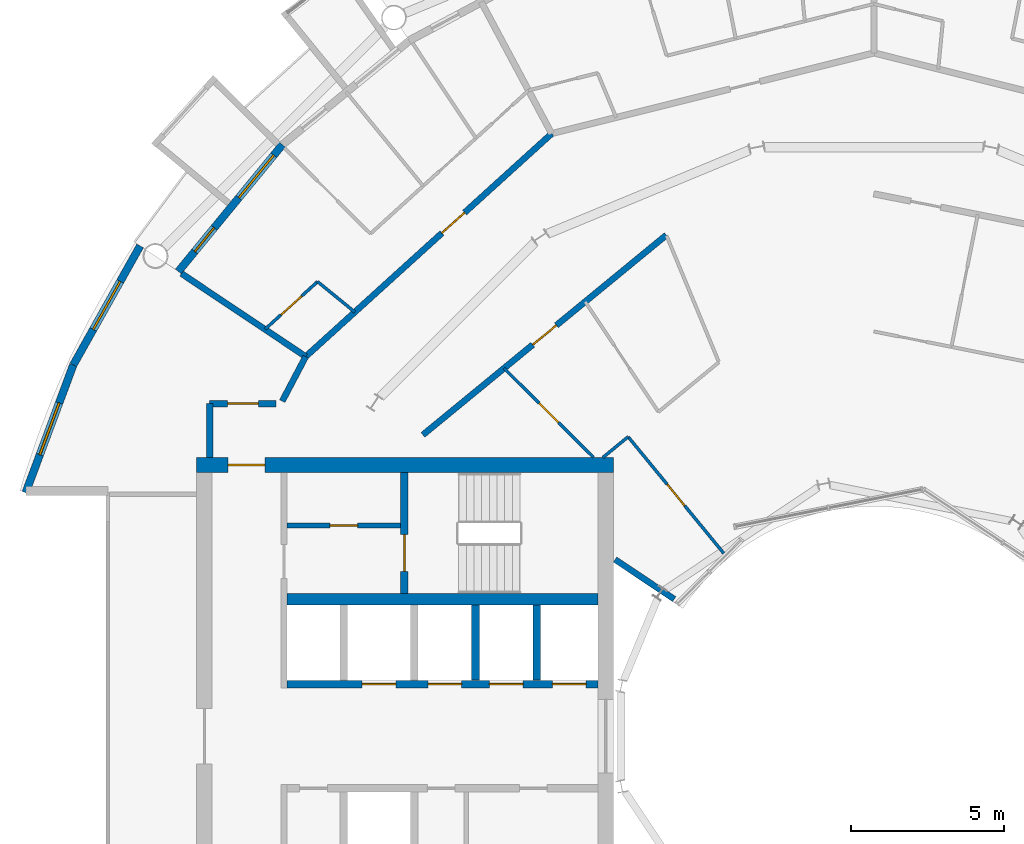
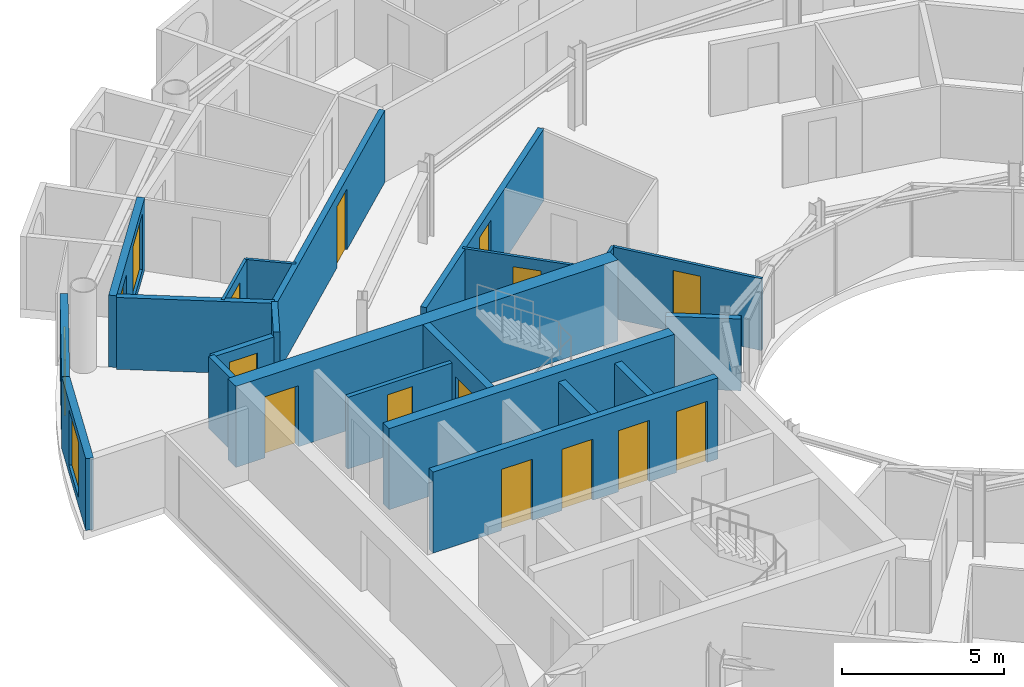
# One storey, part 19 of 27: 22 walls, 14 doors, 3 windows, 17 openings.
"""IFC4 building model written with IfcOpenShell, lengths in metres."""

from ifc_helpers import new_model, si_unit, direction, frame, frame_2d, origin, place, context, subcontext, project, spatial, rectangle, extrude, material, layer, layer_set, type_object, element, fill, save


model = new_model("IFC4")

# Units and contexts
model_context = context("Model", 3, precision=1e-05, world=origin(), true_north=direction((0.0, 1.0)))
body_context = subcontext(model_context, "Body", "Model", "MODEL_VIEW")
ifc_project = project(units=[si_unit("LENGTHUNIT", "METRE"), si_unit("AREAUNIT", "SQUARE_METRE"), si_unit("VOLUMEUNIT", "CUBIC_METRE"), si_unit("PLANEANGLEUNIT", "RADIAN"), si_unit("MASSUNIT", "GRAM", prefix="KILO")], contexts=[model_context])

# Site, building, storey
site_placement = place(None, origin())
site = spatial("IfcSite", under=ifc_project, at=site_placement, CompositionType="ELEMENT")
building_placement = place(site_placement, origin())
building = spatial("IfcBuilding", under=site, at=building_placement, Name="Maasbend Ring Residences", CompositionType="ELEMENT")
storey_placement = place(building_placement, frame((0.0, 0.0, 164.64990234375)))
storey = spatial("IfcBuildingStorey", under=building, at=storey_placement, Name="L47", CompositionType="ELEMENT", Elevation=164.64990234375)

# Wall, openings, doors
ifc_material_1 = material(Name="Concrete C60/75", Category="concrete")
ifc_layer_1 = layer(ifc_material_1, 0.25)
ifc_layer_set_1 = layer_set([ifc_layer_1], Name="Concrete C60/75")
wall_type_1 = type_object("IfcWallType", Name="CORE WALL 250 C60/75", PredefinedType="SHEAR", material=ifc_layer_set_1)
wall_1_placement = place(storey_placement, frame((-9.0, 1.699951171875, 0.0), z_axis=(0.0, 0.0, 1.0), x_axis=(-1.0, 0.0, 0.0)))
wall_1 = element("IfcWall", 1, at=wall_1_placement, inside=storey, type_object=wall_type_1, Name="L47 core W wall SPS", PredefinedType="SHEAR", context=body_context, shape_type="SweptSolid", body=[
    extrude(rectangle(XDim=10.14990234375, YDim=0.25, at=frame_2d((5.074951171875, 0.0))), origin(), (0.0, 0.0, 1.0), 3.050048828125),
])
opening_1_placement = place(wall_1_placement, frame((0.387451171875, 0.0, 0.0)))
opening_1 = element("IfcOpeningElement", 2, at=opening_1_placement, cuts=wall_1, Name="Opening LD-W4702", PredefinedType="OPENING", context=body_context, shape_type="SweptSolid", body=[
    extrude(rectangle(XDim=1.10009765625, YDim=2.300048828125, at=frame_2d((0.550048828125, 1.14990234375))), frame((0.0, 0.135009765625, 0.0), z_axis=(0.0, -1.0, 0.0), x_axis=(1.0, 0.0, 0.0)), (0.0, 0.0, 1.0), 0.27001953125),
])
opening_2_placement = place(wall_1_placement, frame((2.449951171875, 0.0, 0.0)))
opening_2 = element("IfcOpeningElement", 3, at=opening_2_placement, cuts=wall_1, Name="Opening LD-W4703", PredefinedType="OPENING", context=body_context, shape_type="SweptSolid", body=[
    extrude(rectangle(XDim=1.10009765625, YDim=2.300048828125, at=frame_2d((0.550048828125, 1.14990234375))), frame((0.0, 0.135009765625, 0.0), z_axis=(0.0, -1.0, 0.0), x_axis=(1.0, 0.0, 0.0)), (0.0, 0.0, 1.0), 0.27001953125),
])
opening_3_placement = place(wall_1_placement, frame((4.449951171875, 0.0, 0.0)))
opening_3 = element("IfcOpeningElement", 4, at=opening_3_placement, cuts=wall_1, Name="Opening LD-W4704", PredefinedType="OPENING", context=body_context, shape_type="SweptSolid", body=[
    extrude(rectangle(XDim=1.10009765625, YDim=2.300048828125, at=frame_2d((0.550048828125, 1.14990234375))), frame((0.0, 0.135009765625, 0.0), z_axis=(0.0, -1.0, 0.0), x_axis=(1.0, 0.0, 0.0)), (0.0, 0.0, 1.0), 0.27001953125),
])
opening_4_placement = place(wall_1_placement, frame((6.60009765625, 0.0, 0.0)))
opening_4 = element("IfcOpeningElement", 5, at=opening_4_placement, cuts=wall_1, Name="Opening LD-W4705", PredefinedType="OPENING", context=body_context, shape_type="SweptSolid", body=[
    extrude(rectangle(XDim=1.10009765625, YDim=2.300048828125, at=frame_2d((0.550048828125, 1.14990234375))), frame((0.0, 0.135009765625, 0.0), z_axis=(0.0, -1.0, 0.0), x_axis=(1.0, 0.0, 0.0)), (0.0, 0.0, 1.0), 0.27001953125),
])
ifc_material_2 = material(Name="Stainless steel 316", Category="steel")
door_type_1 = type_object("IfcDoorType", Name="LANDING DOOR 1100 X 2300 FD60", OperationType="DOUBLE_DOOR_SLIDING", PredefinedType="DOOR", material=ifc_material_2)
door_1_placement = place(opening_1_placement, origin())
door_1 = element("IfcDoor", 6, at=door_1_placement, inside=storey, type_object=door_type_1, Name="Landing door HR-W1 L47", OperationType="DOUBLE_DOOR_SLIDING", OverallHeight=2.300048828125, OverallWidth=1.10009765625, PredefinedType="DOOR", context=body_context, shape_type="SweptSolid", body=[
    extrude(rectangle(XDim=1.10009765625, YDim=2.300048828125, at=frame_2d((0.550048828125, 1.14990234375))), frame((0.0, 0.02490234375, 0.0), z_axis=(0.0, -1.0, 0.0), x_axis=(1.0, 0.0, 0.0)), (0.0, 0.0, 1.0), 0.050048828125),
])
fill(opening_1, door_1)
door_2_placement = place(opening_2_placement, origin())
door_2 = element("IfcDoor", 7, at=door_2_placement, inside=storey, type_object=door_type_1, Name="Landing door HR-W2 L47", OperationType="DOUBLE_DOOR_SLIDING", OverallHeight=2.300048828125, OverallWidth=1.10009765625, PredefinedType="DOOR", context=body_context, shape_type="SweptSolid", body=[
    extrude(rectangle(XDim=1.10009765625, YDim=2.300048828125, at=frame_2d((0.550048828125, 1.14990234375))), frame((0.0, 0.02490234375, 0.0), z_axis=(0.0, -1.0, 0.0), x_axis=(1.0, 0.0, 0.0)), (0.0, 0.0, 1.0), 0.050048828125),
])
fill(opening_2, door_2)
door_3_placement = place(opening_3_placement, origin())
door_3 = element("IfcDoor", 8, at=door_3_placement, inside=storey, type_object=door_type_1, Name="Landing door HR-W3 L47", OperationType="DOUBLE_DOOR_SLIDING", OverallHeight=2.300048828125, OverallWidth=1.10009765625, PredefinedType="DOOR", context=body_context, shape_type="SweptSolid", body=[
    extrude(rectangle(XDim=1.10009765625, YDim=2.300048828125, at=frame_2d((0.550048828125, 1.14990234375))), frame((0.0, 0.02490234375, 0.0), z_axis=(0.0, -1.0, 0.0), x_axis=(1.0, 0.0, 0.0)), (0.0, 0.0, 1.0), 0.050048828125),
])
fill(opening_3, door_3)
door_4_placement = place(opening_4_placement, origin())
door_4 = element("IfcDoor", 9, at=door_4_placement, inside=storey, type_object=door_type_1, Name="Landing door SV-W L47", OperationType="DOUBLE_DOOR_SLIDING", OverallHeight=2.300048828125, OverallWidth=1.10009765625, PredefinedType="DOOR", context=body_context, shape_type="SweptSolid", body=[
    extrude(rectangle(XDim=1.10009765625, YDim=2.300048828125, at=frame_2d((0.550048828125, 1.14990234375))), frame((0.0, 0.02490234375, 0.0), z_axis=(0.0, -1.0, 0.0), x_axis=(1.0, 0.0, 0.0)), (0.0, 0.0, 1.0), 0.050048828125),
])
fill(opening_4, door_4)

# Wall, opening, door
wall_2_placement = place(storey_placement, frame((-15.324951171875, 8.60009765625, 0.0), z_axis=(0.0, 0.0, 1.0), x_axis=(0.0, -1.0, 0.0)))
wall_2 = element("IfcWall", 10, at=wall_2_placement, inside=storey, type_object=wall_type_1, Name="L47 core W wall STES", PredefinedType="SHEAR", context=body_context, shape_type="SweptSolid", body=[
    extrude(rectangle(XDim=3.9501953125, YDim=0.25, at=frame_2d((1.97509765625, 0.0))), origin(), (0.0, 0.0, 1.0), 3.050048828125),
])
opening_5_placement = place(wall_2_placement, frame((2.02490234375, 0.0, 0.0)))
opening_5 = element("IfcOpeningElement", 11, at=opening_5_placement, cuts=wall_2, Name="Opening D-W4711", PredefinedType="OPENING", context=body_context, shape_type="SweptSolid", body=[
    extrude(rectangle(XDim=1.199951171875, YDim=2.300048828125, at=frame_2d((0.60009765625, 1.14990234375))), frame((0.0, 0.135009765625, 0.0), z_axis=(0.0, -1.0, 0.0), x_axis=(1.0, 0.0, 0.0)), (0.0, 0.0, 1.0), 0.27001953125),
])
ifc_material_3 = material(Name="Steel, powder coated", Category="steel")
door_type_2 = type_object("IfcDoorType", Name="STAIR DOOR 1200 X 2300 FD60", OperationType="NOTDEFINED", PredefinedType="DOOR", material=ifc_material_3)
door_5_placement = place(opening_5_placement, origin())
door_5 = element("IfcDoor", 12, at=door_5_placement, inside=storey, type_object=door_type_2, Name="Stair door ST-W L47", OperationType="SINGLE_SWING_LEFT", OverallHeight=2.300048828125, OverallWidth=1.199951171875, PredefinedType="DOOR", context=body_context, shape_type="SweptSolid", body=[
    extrude(rectangle(XDim=1.199951171875, YDim=2.300048828125, at=frame_2d((0.60009765625, 1.14990234375))), frame((0.0, 0.02490234375, 0.0), z_axis=(0.0, -1.0, 0.0), x_axis=(1.0, 0.0, 0.0)), (0.0, 0.0, 1.0), 0.050048828125),
])
fill(opening_5, door_5)

# Wall
ifc_material_4 = material(Name="Concrete C60/75", Category="concrete")
ifc_layer_2 = layer(ifc_material_4, 0.375)
ifc_layer_set_2 = layer_set([ifc_layer_2], Name="Concrete C60/75")
wall_type_2 = type_object("IfcWallType", Name="CORE WALL 375 C60/75", PredefinedType="SHEAR", material=ifc_layer_set_2)
wall_3_placement = place(storey_placement, frame((-9.0, 4.46240234375, 0.0), z_axis=(0.0, 0.0, 1.0), x_axis=(-1.0, 0.0, 0.0)))
element("IfcWall", 13, at=wall_3_placement, inside=storey, type_object=wall_type_2, Name="L47 core W wall BS", PredefinedType="SHEAR", context=body_context, shape_type="SweptSolid", body=[
    extrude(rectangle(XDim=10.14990234375, YDim=0.375, at=frame_2d((5.074951171875, 0.0))), origin(), (0.0, 0.0, 1.0), 3.050048828125),
])

# Wall, opening, door
ifc_material_5 = material(Name="Concrete C60/75", Category="concrete")
ifc_layer_3 = layer(ifc_material_5, 0.5)
ifc_layer_set_3 = layer_set([ifc_layer_3], Name="Concrete C60/75")
wall_type_3 = type_object("IfcWallType", Name="CORE WALL 500 C60/75", PredefinedType="SHEAR", material=ifc_layer_set_3)
wall_4_placement = place(storey_placement, frame((-8.5, 8.85009765625, 0.0), z_axis=(0.0, 0.0, 1.0), x_axis=(-1.0, 0.0, 0.0)))
wall_4 = element("IfcWall", 14, at=wall_4_placement, inside=storey, type_object=wall_type_3, Name="L47 core W wall PS", PredefinedType="SHEAR", context=body_context, shape_type="SweptSolid", body=[
    extrude(rectangle(XDim=13.60009765625, YDim=0.5, at=frame_2d((6.800048828125, 0.0))), origin(), (0.0, 0.0, 1.0), 3.050048828125),
])
opening_6_placement = place(wall_4_placement, frame((11.375, 0.0, 0.0)))
opening_6 = element("IfcOpeningElement", 15, at=opening_6_placement, cuts=wall_4, Name="Opening D-W4715", PredefinedType="OPENING", context=body_context, shape_type="SweptSolid", body=[
    extrude(rectangle(XDim=1.199951171875, YDim=2.300048828125, at=frame_2d((0.60009765625, 1.14990234375))), frame((0.0, 0.260009765625, 0.0), z_axis=(0.0, -1.0, 0.0), x_axis=(1.0, 0.0, 0.0)), (0.0, 0.0, 1.0), 0.52001953125),
])
ifc_material_6 = material(Name="Steel, powder coated", Category="steel")
door_type_3 = type_object("IfcDoorType", Name="CORRIDOR DOOR 1200 X 2300 FD30S", OperationType="NOTDEFINED", PredefinedType="DOOR", material=ifc_material_6)
door_6_placement = place(opening_6_placement, origin())
door_6 = element("IfcDoor", 16, at=door_6_placement, inside=storey, type_object=door_type_3, Name="Corridor door L47", OperationType="SINGLE_SWING_LEFT", OverallHeight=2.300048828125, OverallWidth=1.199951171875, PredefinedType="DOOR", context=body_context, shape_type="SweptSolid", body=[
    extrude(rectangle(XDim=1.199951171875, YDim=2.300048828125, at=frame_2d((0.60009765625, 1.14990234375))), frame((0.0, 0.02490234375, 0.0), z_axis=(0.0, -1.0, 0.0), x_axis=(1.0, 0.0, 0.0)), (0.0, 0.0, 1.0), 0.050048828125),
])
fill(opening_6, door_6)

ifc_material_7 = material(Name="Concrete C30/37", Category="concrete")
ifc_layer_4 = layer(ifc_material_7, 0.199951171875)
ifc_layer_set_4 = layer_set([ifc_layer_4], Name="Concrete C30/37")
wall_type_4 = type_object("IfcWallType", Name="CORRIDOR WALL 200 CONCRETE", PredefinedType="PARTITIONING", material=ifc_layer_set_4)
wall_5_placement = place(storey_placement, frame((-21.675048828125, 10.85009765625, 0.0), z_axis=(0.0, 0.0, 1.0), x_axis=(1.0, 0.0, 0.0)))
wall_5 = element("IfcWall", 17, at=wall_5_placement, inside=storey, type_object=wall_type_4, Name="U-L47-w094", PredefinedType="PARTITIONING", context=body_context, shape_type="SweptSolid", body=[
    extrude(rectangle(XDim=2.171142578125, YDim=0.199951171875, at=frame_2d((1.08544921875, 0.0))), origin(), (0.0, 0.0, 1.0), 2.7001953125),
])
opening_7_placement = place(wall_5_placement, frame((0.5849609375, 0.0, 0.0)))
opening_7 = element("IfcOpeningElement", 18, at=opening_7_placement, cuts=wall_5, Name="Opening D-4767", PredefinedType="OPENING", context=body_context, shape_type="SweptSolid", body=[
    extrude(rectangle(XDim=1.0, YDim=2.300048828125, at=frame_2d((0.5, 1.14990234375))), frame((0.0, 0.10986328125, 0.0), z_axis=(0.0, -1.0, 0.0), x_axis=(1.0, 0.0, 0.0)), (0.0, 0.0, 1.0), 0.219970703125),
])
ifc_material_8 = material(Name="Timber, painted", Category="wood")
door_type_4 = type_object("IfcDoorType", Name="ROOM DOOR 1000 X 2300", OperationType="NOTDEFINED", PredefinedType="DOOR", material=ifc_material_8)
door_7_placement = place(opening_7_placement, origin())
door_7 = element("IfcDoor", 19, at=door_7_placement, inside=storey, type_object=door_type_4, Name="D-4767", OperationType="SINGLE_SWING_LEFT", OverallHeight=2.300048828125, OverallWidth=1.0, PredefinedType="DOOR", context=body_context, shape_type="SweptSolid", body=[
    extrude(rectangle(XDim=1.0, YDim=2.300048828125, at=frame_2d((0.5, 1.14990234375))), frame((0.0, 0.02490234375, 0.0), z_axis=(0.0, -1.0, 0.0), x_axis=(1.0, 0.0, 0.0)), (0.0, 0.0, 1.0), 0.050048828125),
])
fill(opening_7, door_7)

wall_6_placement = place(storey_placement, frame((-14.717041015625, 9.833984375, 0.0), z_axis=(0.0, 0.0, 1.0), x_axis=(0.773034536097, 0.634363938131, 0.0)))
wall_6 = element("IfcWall", 20, at=wall_6_placement, inside=storey, type_object=wall_type_4, Name="U-L47-w101", PredefinedType="PARTITIONING", context=body_context, shape_type="SweptSolid", body=[
    extrude(rectangle(XDim=10.276611328125, YDim=0.199951171875, at=frame_2d((5.13818359375, 0.0))), origin(), (0.0, 0.0, 1.0), 2.7001953125),
])
opening_8_placement = place(wall_6_placement, frame((4.637939453125, 0.0, 0.0)))
opening_8 = element("IfcOpeningElement", 21, at=opening_8_placement, cuts=wall_6, Name="Opening D-4728", PredefinedType="OPENING", context=body_context, shape_type="SweptSolid", body=[
    extrude(rectangle(XDim=1.0, YDim=2.300048828125, at=frame_2d((0.5, 1.14990234375))), frame((0.0, 0.10986328125, 0.0), z_axis=(0.0, -1.0, 0.0), x_axis=(1.0, 0.0, 0.0)), (0.0, 0.0, 1.0), 0.219970703125),
])
ifc_material_9 = material(Name="Timber, fire-rated, painted", Category="wood")
door_type_5 = type_object("IfcDoorType", Name="FLAT ENTRANCE DOOR 1000 X 2300 FIRE-RATED", OperationType="NOTDEFINED", PredefinedType="DOOR", material=ifc_material_9)
door_8_placement = place(opening_8_placement, origin())
door_8 = element("IfcDoor", 22, at=door_8_placement, inside=storey, type_object=door_type_5, Name="D-4728", OperationType="SINGLE_SWING_LEFT", OverallHeight=2.300048828125, OverallWidth=1.0, PredefinedType="DOOR", context=body_context, shape_type="SweptSolid", body=[
    extrude(rectangle(XDim=1.0, YDim=2.300048828125, at=frame_2d((0.5, 1.14990234375))), frame((0.0, 0.02490234375, 0.0), z_axis=(0.0, -1.0, 0.0), x_axis=(1.0, 0.0, 0.0)), (0.0, 0.0, 1.0), 0.050048828125),
])
fill(opening_8, door_8)

wall_7_placement = place(storey_placement, frame((-18.5419921875, 12.388916015625, 0.0), z_axis=(0.0, 0.0, 1.0), x_axis=(0.740947367223, 0.671563101283, 0.0)))
wall_7 = element("IfcWall", 23, at=wall_7_placement, inside=storey, type_object=wall_type_4, Name="U-L47-w104", PredefinedType="PARTITIONING", context=body_context, shape_type="SweptSolid", body=[
    extrude(rectangle(XDim=10.83740234375, YDim=0.199951171875, at=frame_2d((5.418701171875, 0.0))), origin(), (0.0, 0.0, 1.0), 2.7001953125),
])
opening_9_placement = place(wall_7_placement, frame((6.001953125, 0.0, 0.0)))
opening_9 = element("IfcOpeningElement", 24, at=opening_9_placement, cuts=wall_7, Name="Opening D-4716", PredefinedType="OPENING", context=body_context, shape_type="SweptSolid", body=[
    extrude(rectangle(XDim=1.0, YDim=2.300048828125, at=frame_2d((0.5, 1.14990234375))), frame((0.0, 0.10986328125, 0.0), z_axis=(0.0, -1.0, 0.0), x_axis=(1.0, 0.0, 0.0)), (0.0, 0.0, 1.0), 0.219970703125),
])
door_9_placement = place(opening_9_placement, origin())
door_9 = element("IfcDoor", 25, at=door_9_placement, inside=storey, type_object=door_type_5, Name="D-4716", OperationType="SINGLE_SWING_RIGHT", OverallHeight=2.300048828125, OverallWidth=1.0, PredefinedType="DOOR", context=body_context, shape_type="SweptSolid", body=[
    extrude(rectangle(XDim=1.0, YDim=2.300048828125, at=frame_2d((0.5, 1.14990234375))), frame((0.0, 0.02490234375, 0.0), z_axis=(0.0, -1.0, 0.0), x_axis=(1.0, 0.0, 0.0)), (0.0, 0.0, 1.0), 0.050048828125),
])
fill(opening_9, door_9)

# Walls
wall_8_placement = place(storey_placement, frame((-21.675048828125, 9.10009765625, 0.0), z_axis=(0.0, 0.0, 1.0), x_axis=(0.0, 1.0, 0.0)))
element("IfcWall", 26, at=wall_8_placement, inside=storey, type_object=wall_type_4, Name="U-L47-w109", PredefinedType="PARTITIONING", context=body_context, shape_type="SweptSolid", body=[
    extrude(rectangle(XDim=1.75, YDim=0.199951171875, at=frame_2d((0.875, 0.0))), origin(), (0.0, 0.0, 1.0), 2.7001953125),
])
wall_9_placement = place(storey_placement, frame((-19.306884765625, 10.93505859375, 0.0), z_axis=(0.0, 0.0, 1.0), x_axis=(0.465605550524, 0.884992356646, 0.0)))
element("IfcWall", 27, at=wall_9_placement, inside=storey, type_object=wall_type_4, Name="U-L47-w110", PredefinedType="PARTITIONING", context=body_context, shape_type="SweptSolid", body=[
    extrude(rectangle(XDim=1.642822265625, YDim=0.199951171875, at=frame_2d((0.8212890625, 0.0))), origin(), (0.0, 0.0, 1.0), 2.7001953125),
])

# Wall, openings, door, window
ifc_material_10 = material(Name="Aluminium clad insulated panel", Category="aluminium")
ifc_layer_5 = layer(ifc_material_10, 0.25)
ifc_layer_set_5 = layer_set([ifc_layer_5], Name="EW-GL")
wall_type_5 = type_object("IfcWallType", Name="EW-GL", PredefinedType="SOLIDWALL", material=ifc_layer_set_5)
wall_10_placement = place(storey_placement, frame((-19.303955078125, 19.303955078125, 0.0), z_axis=(0.0, 0.0, 1.0), x_axis=(-0.634382322723, -0.773019449054, 0.0)))
wall_10 = element("IfcWall", 28, at=wall_10_placement, inside=storey, type_object=wall_type_5, Name="External wall N10", PredefinedType="SOLIDWALL", context=body_context, shape_type="SweptSolid", body=[
    extrude(rectangle(XDim=5.351806640625, YDim=0.25, at=frame_2d((2.67578125, 0.0))), origin(), (0.0, 0.0, 1.0), 2.7001953125),
])
opening_10_placement = place(wall_10_placement, frame((0.441162109375, 0.0, 0.300048828125)))
opening_10 = element("IfcOpeningElement", 29, at=opening_10_placement, cuts=wall_10, Name="Opening W-BX", PredefinedType="OPENING", context=body_context, shape_type="SweptSolid", body=[
    extrude(rectangle(XDim=1.800048828125, YDim=2.10009765625, at=frame_2d((0.89990234375, 1.050048828125))), frame((0.0, 0.135009765625, 0.0), z_axis=(0.0, -1.0, 0.0), x_axis=(1.0, 0.0, 0.0)), (0.0, 0.0, 1.0), 0.27001953125),
])
opening_11_placement = place(wall_10_placement, frame((3.510498046875, 0.0, 0.0)))
opening_11 = element("IfcOpeningElement", 30, at=opening_11_placement, cuts=wall_10, Name="Opening D-LG", PredefinedType="OPENING", context=body_context, shape_type="SweptSolid", body=[
    extrude(rectangle(XDim=1.0, YDim=2.199951171875, at=frame_2d((0.5, 1.10009765625))), frame((0.0, 0.135009765625, 0.0), z_axis=(0.0, -1.0, 0.0), x_axis=(1.0, 0.0, 0.0)), (0.0, 0.0, 1.0), 0.27001953125),
])
ifc_material_11 = material(Name="Aluminium and clear glass", Category="aluminium")
door_type_6 = type_object("IfcDoorType", Name="D-LG", OperationType="SINGLE_SWING_LEFT", PredefinedType="DOOR", material=ifc_material_11)
door_10_placement = place(opening_11_placement, origin())
door_10 = element("IfcDoor", 31, at=door_10_placement, inside=storey, type_object=door_type_6, Name="Loggia door N20", OperationType="SINGLE_SWING_LEFT", OverallHeight=2.199951171875, OverallWidth=1.0, PredefinedType="DOOR", context=body_context, shape_type="SweptSolid", body=[
    extrude(rectangle(XDim=1.0, YDim=2.199951171875, at=frame_2d((0.5, 1.10009765625))), frame((0.0, 0.02490234375, 0.0), z_axis=(0.0, -1.0, 0.0), x_axis=(1.0, 0.0, 0.0)), (0.0, 0.0, 1.0), 0.050048828125),
])
fill(opening_11, door_10)
ifc_material_12 = material(Name="Aluminium and clear glass", Category="aluminium")
window_type = type_object("IfcWindowType", Name="W-BX", PartitioningType="DOUBLE_PANEL_VERTICAL", PredefinedType="WINDOW", material=ifc_material_12)
window_1_placement = place(opening_10_placement, origin())
window_1 = element("IfcWindow", 32, at=window_1_placement, inside=storey, type_object=window_type, Name="Window N19 room to box", OverallHeight=2.10009765625, OverallWidth=1.800048828125, PartitioningType="SINGLE_PANEL", PredefinedType="WINDOW", context=body_context, shape_type="SweptSolid", body=[
    extrude(rectangle(XDim=1.800048828125, YDim=2.10009765625, at=frame_2d((0.89990234375, 1.050048828125))), frame((0.0, 0.030029296875, 0.0), z_axis=(0.0, -1.0, 0.0), x_axis=(1.0, 0.0, 0.0)), (0.0, 0.0, 1.0), 0.06005859375),
])
fill(opening_10, window_1)

# Wall, opening, window
ifc_material_13 = material(Name="Aluminium clad insulated panel", Category="aluminium")
ifc_layer_6 = layer(ifc_material_13, 0.25)
ifc_layer_set_6 = layer_set([ifc_layer_6], Name="EW-HORN")
wall_type_6 = type_object("IfcWallType", Name="EW-HORN", PredefinedType="SOLIDWALL", material=ifc_layer_set_6)
wall_11_placement = place(storey_placement, frame((-23.946044921875, 16.0, 0.0), z_axis=(0.0, 0.0, 1.0), x_axis=(-0.489696356642, -0.871893042919, 0.0)))
wall_11 = element("IfcWall", 33, at=wall_11_placement, inside=storey, type_object=wall_type_6, Name="Horn wall 4.1", PredefinedType="SOLIDWALL", context=body_context, shape_type="SweptSolid", body=[
    extrude(rectangle(XDim=4.45361328125, YDim=0.25, at=frame_2d((2.226806640625, 0.0))), origin(), (0.0, 0.0, 1.0), 2.7001953125),
])
opening_12_placement = place(wall_11_placement, frame((1.32666015625, 0.0, 0.300048828125)))
opening_12 = element("IfcOpeningElement", 34, at=opening_12_placement, cuts=wall_11, Name="Opening W-BX", PredefinedType="OPENING", context=body_context, shape_type="SweptSolid", body=[
    extrude(rectangle(XDim=1.800048828125, YDim=2.10009765625, at=frame_2d((0.89990234375, 1.050048828125))), frame((0.0, 0.135009765625, 0.0), z_axis=(0.0, -1.0, 0.0), x_axis=(1.0, 0.0, 0.0)), (0.0, 0.0, 1.0), 0.27001953125),
])
window_2_placement = place(opening_12_placement, origin())
window_2 = element("IfcWindow", 35, at=window_2_placement, inside=storey, type_object=window_type, Name="Horn window 4.1", OverallHeight=2.10009765625, OverallWidth=1.800048828125, PartitioningType="SINGLE_PANEL", PredefinedType="WINDOW", context=body_context, shape_type="SweptSolid", body=[
    extrude(rectangle(XDim=1.800048828125, YDim=2.10009765625, at=frame_2d((0.89990234375, 1.050048828125))), frame((0.0, 0.030029296875, 0.0), z_axis=(0.0, -1.0, 0.0), x_axis=(1.0, 0.0, 0.0)), (0.0, 0.0, 1.0), 0.06005859375),
])
fill(opening_12, window_2)

wall_12_placement = place(storey_placement, frame((-26.126953125, 12.116943359375, 0.0), z_axis=(0.0, 0.0, 1.0), x_axis=(-0.349247811493, -0.937030397675, 0.0)))
wall_12 = element("IfcWall", 36, at=wall_12_placement, inside=storey, type_object=wall_type_6, Name="Horn wall 4.2", PredefinedType="SOLIDWALL", context=body_context, shape_type="SweptSolid", body=[
    extrude(rectangle(XDim=4.4521484375, YDim=0.25, at=frame_2d((2.22607421875, 0.0))), origin(), (0.0, 0.0, 1.0), 2.7001953125),
])
opening_13_placement = place(wall_12_placement, frame((1.32666015625, 0.0, 0.300048828125)))
opening_13 = element("IfcOpeningElement", 37, at=opening_13_placement, cuts=wall_12, Name="Opening W-BX", PredefinedType="OPENING", context=body_context, shape_type="SweptSolid", body=[
    extrude(rectangle(XDim=1.800048828125, YDim=2.10009765625, at=frame_2d((0.89990234375, 1.050048828125))), frame((0.0, 0.135009765625, 0.0), z_axis=(0.0, -1.0, 0.0), x_axis=(1.0, 0.0, 0.0)), (0.0, 0.0, 1.0), 0.27001953125),
])
window_3_placement = place(opening_13_placement, origin())
window_3 = element("IfcWindow", 38, at=window_3_placement, inside=storey, type_object=window_type, Name="Horn window 4.2", OverallHeight=2.10009765625, OverallWidth=1.800048828125, PartitioningType="SINGLE_PANEL", PredefinedType="WINDOW", context=body_context, shape_type="SweptSolid", body=[
    extrude(rectangle(XDim=1.800048828125, YDim=2.10009765625, at=frame_2d((0.89990234375, 1.050048828125))), frame((0.0, 0.030029296875, 0.0), z_axis=(0.0, -1.0, 0.0), x_axis=(1.0, 0.0, 0.0)), (0.0, 0.0, 1.0), 0.06005859375),
])
fill(opening_13, window_3)

# Wall
ifc_material_14 = material(Name="Gypsum board on steel studs", Category="steel")
ifc_layer_7 = layer(ifc_material_14, 0.10009765625)
ifc_layer_set_7 = layer_set([ifc_layer_7], Name="PARTITION 100 GYPSUM")
wall_type_7 = type_object("IfcWallType", Name="PARTITION 100 GYPSUM", PredefinedType="PARTITIONING", material=ifc_layer_set_7)
wall_13_placement = place(storey_placement, frame((-18.154052734375, 14.833984375, 0.0), z_axis=(0.0, 0.0, 1.0), x_axis=(0.774345345452, -0.632763214779, 0.0)))
element("IfcWall", 39, at=wall_13_placement, inside=storey, type_object=wall_type_7, Name="U-L47-w036", PredefinedType="PARTITIONING", context=body_context, shape_type="SweptSolid", body=[
    extrude(rectangle(XDim=1.569091796875, YDim=0.10009765625, at=frame_2d((0.78466796875, 0.0))), origin(), (0.0, 0.0, 1.0), 2.7001953125),
])

# Wall, opening, door
wall_14_placement = place(storey_placement, frame((-12.069091796875, 12.007080078125, 0.0), z_axis=(0.0, 0.0, 1.0), x_axis=(0.708822693149, -0.705386695138, 0.0)))
wall_14 = element("IfcWall", 40, at=wall_14_placement, inside=storey, type_object=wall_type_7, Name="U-L47-w044", PredefinedType="PARTITIONING", context=body_context, shape_type="SweptSolid", body=[
    extrude(rectangle(XDim=4.12109375, YDim=0.10009765625, at=frame_2d((2.060546875, 0.0))), origin(), (0.0, 0.0, 1.0), 2.7001953125),
])
opening_14_placement = place(wall_14_placement, frame((1.611083984375, 0.0, 0.0)))
opening_14 = element("IfcOpeningElement", 41, at=opening_14_placement, cuts=wall_14, Name="Opening D-4730", PredefinedType="OPENING", context=body_context, shape_type="SweptSolid", body=[
    extrude(rectangle(XDim=0.89990234375, YDim=2.300048828125, at=frame_2d((0.449951171875, 1.14990234375))), frame((0.0, 0.06005859375, 0.0), z_axis=(0.0, -1.0, 0.0), x_axis=(1.0, 0.0, 0.0)), (0.0, 0.0, 1.0), 0.1201171875),
])
ifc_material_15 = material(Name="Timber, painted", Category="wood")
door_type_7 = type_object("IfcDoorType", Name="INTERNAL DOOR 900 X 2300", OperationType="NOTDEFINED", PredefinedType="DOOR", material=ifc_material_15)
door_11_placement = place(opening_14_placement, origin())
door_11 = element("IfcDoor", 42, at=door_11_placement, inside=storey, type_object=door_type_7, Name="D-4730", OperationType="SINGLE_SWING_RIGHT", OverallHeight=2.300048828125, OverallWidth=0.89990234375, PredefinedType="DOOR", context=body_context, shape_type="SweptSolid", body=[
    extrude(rectangle(XDim=0.89990234375, YDim=2.300048828125, at=frame_2d((0.449951171875, 1.14990234375))), frame((0.0, 0.02490234375, 0.0), z_axis=(0.0, -1.0, 0.0), x_axis=(1.0, 0.0, 0.0)), (0.0, 0.0, 1.0), 0.050048828125),
])
fill(opening_14, door_11)

wall_15_placement = place(storey_placement, frame((-8.01904296875, 9.77099609375, 0.0), z_axis=(0.0, 0.0, 1.0), x_axis=(0.634401778971, -0.773003481776, 0.0)))
wall_15 = element("IfcWall", 43, at=wall_15_placement, inside=storey, type_object=wall_type_7, Name="U-L47-w050", PredefinedType="PARTITIONING", context=body_context, shape_type="SweptSolid", body=[
    extrude(rectangle(XDim=4.919677734375, YDim=0.10009765625, at=frame_2d((2.4599609375, 0.0))), origin(), (0.0, 0.0, 1.0), 2.7001953125),
])
opening_15_placement = place(wall_15_placement, frame((2.010009765625, 0.0, 0.0)))
opening_15 = element("IfcOpeningElement", 44, at=opening_15_placement, cuts=wall_15, Name="Opening D-4731", PredefinedType="OPENING", context=body_context, shape_type="SweptSolid", body=[
    extrude(rectangle(XDim=0.89990234375, YDim=2.300048828125, at=frame_2d((0.449951171875, 1.14990234375))), frame((0.0, 0.06005859375, 0.0), z_axis=(0.0, -1.0, 0.0), x_axis=(1.0, 0.0, 0.0)), (0.0, 0.0, 1.0), 0.1201171875),
])
door_12_placement = place(opening_15_placement, origin())
door_12 = element("IfcDoor", 45, at=door_12_placement, inside=storey, type_object=door_type_7, Name="D-4731", OperationType="SINGLE_SWING_RIGHT", OverallHeight=2.300048828125, OverallWidth=0.89990234375, PredefinedType="DOOR", context=body_context, shape_type="SweptSolid", body=[
    extrude(rectangle(XDim=0.89990234375, YDim=2.300048828125, at=frame_2d((0.449951171875, 1.14990234375))), frame((0.0, 0.02490234375, 0.0), z_axis=(0.0, -1.0, 0.0), x_axis=(1.0, 0.0, 0.0)), (0.0, 0.0, 1.0), 0.050048828125),
])
fill(opening_15, door_12)

# Wall
wall_16_placement = place(storey_placement, frame((-8.842041015625, 9.094970703125, 0.0), z_axis=(0.0, 0.0, 1.0), x_axis=(0.772730269942, 0.634734534995, 0.0)))
element("IfcWall", 46, at=wall_16_placement, inside=storey, type_object=wall_type_7, Name="U-L47-w096", PredefinedType="PARTITIONING", context=body_context, shape_type="SweptSolid", body=[
    extrude(rectangle(XDim=1.06494140625, YDim=0.10009765625, at=frame_2d((0.532470703125, 0.0))), origin(), (0.0, 0.0, 1.0), 2.7001953125),
])

# Wall, opening, door
wall_17_placement = place(storey_placement, frame((-19.87109375, 13.280029296875, 0.0), z_axis=(0.0, 0.0, 1.0), x_axis=(0.741127434804, 0.671364376014, 0.0)))
wall_17 = element("IfcWall", 47, at=wall_17_placement, inside=storey, type_object=wall_type_7, Name="U-L47-w112", PredefinedType="PARTITIONING", context=body_context, shape_type="SweptSolid", body=[
    extrude(rectangle(XDim=2.32373046875, YDim=0.10009765625, at=frame_2d((1.161865234375, 0.0))), origin(), (0.0, 0.0, 1.0), 2.7001953125),
])
opening_16_placement = place(wall_17_placement, frame((0.708984375, 0.0, 0.0)))
opening_16 = element("IfcOpeningElement", 48, at=opening_16_placement, cuts=wall_17, Name="Opening D-4717", PredefinedType="OPENING", context=body_context, shape_type="SweptSolid", body=[
    extrude(rectangle(XDim=0.89990234375, YDim=2.300048828125, at=frame_2d((0.449951171875, 1.14990234375))), frame((0.0, 0.06005859375, 0.0), z_axis=(0.0, -1.0, 0.0), x_axis=(1.0, 0.0, 0.0)), (0.0, 0.0, 1.0), 0.1201171875),
])
door_13_placement = place(opening_16_placement, origin())
door_13 = element("IfcDoor", 49, at=door_13_placement, inside=storey, type_object=door_type_7, Name="D-4717", OperationType="SINGLE_SWING_LEFT", OverallHeight=2.300048828125, OverallWidth=0.89990234375, PredefinedType="DOOR", context=body_context, shape_type="SweptSolid", body=[
    extrude(rectangle(XDim=0.89990234375, YDim=2.300048828125, at=frame_2d((0.449951171875, 1.14990234375))), frame((0.0, 0.02490234375, 0.0), z_axis=(0.0, -1.0, 0.0), x_axis=(1.0, 0.0, 0.0)), (0.0, 0.0, 1.0), 0.050048828125),
])
fill(opening_16, door_13)

ifc_material_16 = material(Name="Gypsum board on steel studs", Category="steel")
ifc_layer_8 = layer(ifc_material_16, 0.14990234375)
ifc_layer_set_8 = layer_set([ifc_layer_8], Name="PARTITION 150 EI 60")
wall_type_8 = type_object("IfcWallType", Name="PARTITION 150 EI 60", PredefinedType="PARTITIONING", material=ifc_layer_set_8)
wall_18_placement = place(storey_placement, frame((-15.449951171875, 6.875, 0.0), z_axis=(0.0, 0.0, 1.0), x_axis=(-1.0, 0.0, 0.0)))
wall_18 = element("IfcWall", 50, at=wall_18_placement, inside=storey, type_object=wall_type_8, Name="L47 core W wall RHS", PredefinedType="PARTITIONING", context=body_context, shape_type="SweptSolid", body=[
    extrude(rectangle(XDim=3.699951171875, YDim=0.14990234375, at=frame_2d((1.85009765625, 0.0))), origin(), (0.0, 0.0, 1.0), 2.7001953125),
])
opening_17_placement = place(wall_18_placement, frame((1.39990234375, 0.0, 0.0)))
opening_17 = element("IfcOpeningElement", 51, at=opening_17_placement, cuts=wall_18, Name="Opening D-W4709", PredefinedType="OPENING", context=body_context, shape_type="SweptSolid", body=[
    extrude(rectangle(XDim=0.89990234375, YDim=2.300048828125, at=frame_2d((0.449951171875, 1.14990234375))), frame((0.0, 0.0849609375, 0.0), z_axis=(0.0, -1.0, 0.0), x_axis=(1.0, 0.0, 0.0)), (0.0, 0.0, 1.0), 0.169921875),
])
ifc_material_17 = material(Name="Steel, powder coated", Category="steel")
door_type_8 = type_object("IfcDoorType", Name="RISER DOOR 900 X 2300 FD60", OperationType="NOTDEFINED", PredefinedType="DOOR", material=ifc_material_17)
door_14_placement = place(opening_17_placement, origin())
door_14 = element("IfcDoor", 52, at=door_14_placement, inside=storey, type_object=door_type_8, Name="Riser door L47", OperationType="SINGLE_SWING_LEFT", OverallHeight=2.300048828125, OverallWidth=0.89990234375, PredefinedType="DOOR", context=body_context, shape_type="SweptSolid", body=[
    extrude(rectangle(XDim=0.89990234375, YDim=2.300048828125, at=frame_2d((0.449951171875, 1.14990234375))), frame((0.0, 0.02490234375, 0.0), z_axis=(0.0, -1.0, 0.0), x_axis=(1.0, 0.0, 0.0)), (0.0, 0.0, 1.0), 0.050048828125),
])
fill(opening_17, door_14)

# Walls
ifc_material_18 = material(Name="Concrete C30/37", Category="concrete")
ifc_layer_9 = layer(ifc_material_18, 0.199951171875)
ifc_layer_set_9 = layer_set([ifc_layer_9], Name="Concrete C30/37")
wall_type_9 = type_object("IfcWallType", Name="PARTY WALL 200 CONCRETE", PredefinedType="PARTITIONING", material=ifc_layer_set_9)
wall_19_placement = place(storey_placement, frame((-22.594970703125, 15.097900390625, 0.0), z_axis=(0.0, 0.0, 1.0), x_axis=(0.831387096605, -0.55569370664, 0.0)))
element("IfcWall", 53, at=wall_19_placement, inside=storey, type_object=wall_type_9, Name="U-L47-w033", PredefinedType="PARTITIONING", context=body_context, shape_type="SweptSolid", body=[
    extrude(rectangle(XDim=4.875, YDim=0.199951171875, at=frame_2d((2.4375, 0.0))), origin(), (0.0, 0.0, 1.0), 2.7001953125),
])
wall_20_placement = place(storey_placement, frame((-6.512939453125, 4.471923828125, 0.0), z_axis=(0.0, 0.0, 1.0), x_axis=(-0.83133816625, 0.555766905579, 0.0)))
element("IfcWall", 54, at=wall_20_placement, inside=storey, type_object=wall_type_9, Name="U-L47-w092", PredefinedType="PARTITIONING", context=body_context, shape_type="SweptSolid", body=[
    extrude(rectangle(XDim=2.322998046875, YDim=0.199951171875, at=frame_2d((1.16162109375, 0.0))), origin(), (0.0, 0.0, 1.0), 2.7001953125),
])
ifc_material_19 = material(Name="Concrete C30/37", Category="concrete")
ifc_layer_10 = layer(ifc_material_19, 0.25)
ifc_layer_set_10 = layer_set([ifc_layer_10], Name="Concrete C30/37")
wall_type_10 = type_object("IfcWallType", Name="SHAFT WALL 250 EI 120", PredefinedType="SOLIDWALL", material=ifc_layer_set_10)
for number, where, z_axis, x_axis, name in (
    (55, (-11.0, 1.824951171875, 0.0), (0.0, 0.0, 1.0), (0.0, 1.0, 0.0), "L47 core W wall D110S"),
    (56, (-13.0, 1.824951171875, 0.0), (0.0, 0.0, 1.0), (0.0, 1.0, 0.0), "L47 core W wall D130S"),
):
    element("IfcWall", number, at=place(storey_placement, frame(where, z_axis=z_axis, x_axis=x_axis)), inside=storey, type_object=wall_type_10, Name=name, PredefinedType="SOLIDWALL", context=body_context, shape_type="SweptSolid", body=[
        extrude(rectangle(XDim=2.449951171875, YDim=0.25, at=frame_2d((1.22509765625, 0.0))), origin(), (0.0, 0.0, 1.0), 2.7001953125),
    ])

save(model, "model.ifc")
